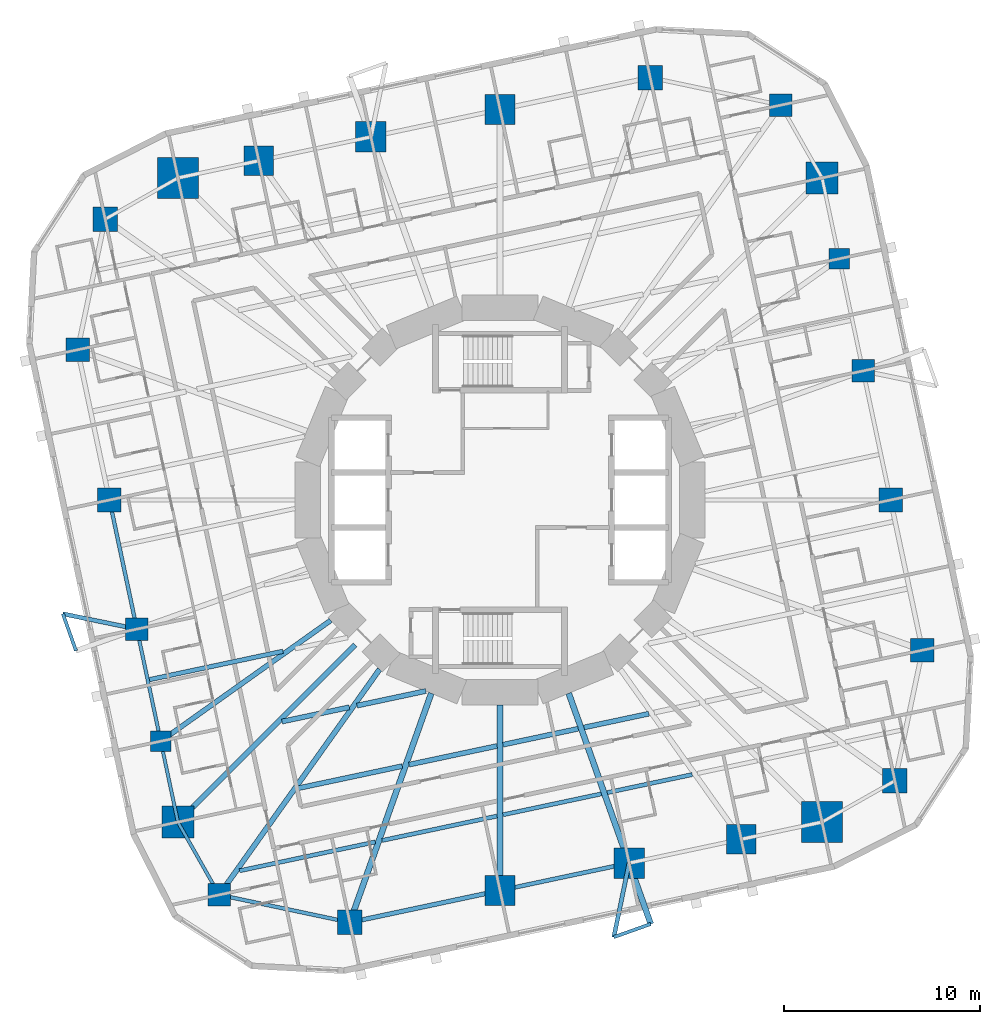
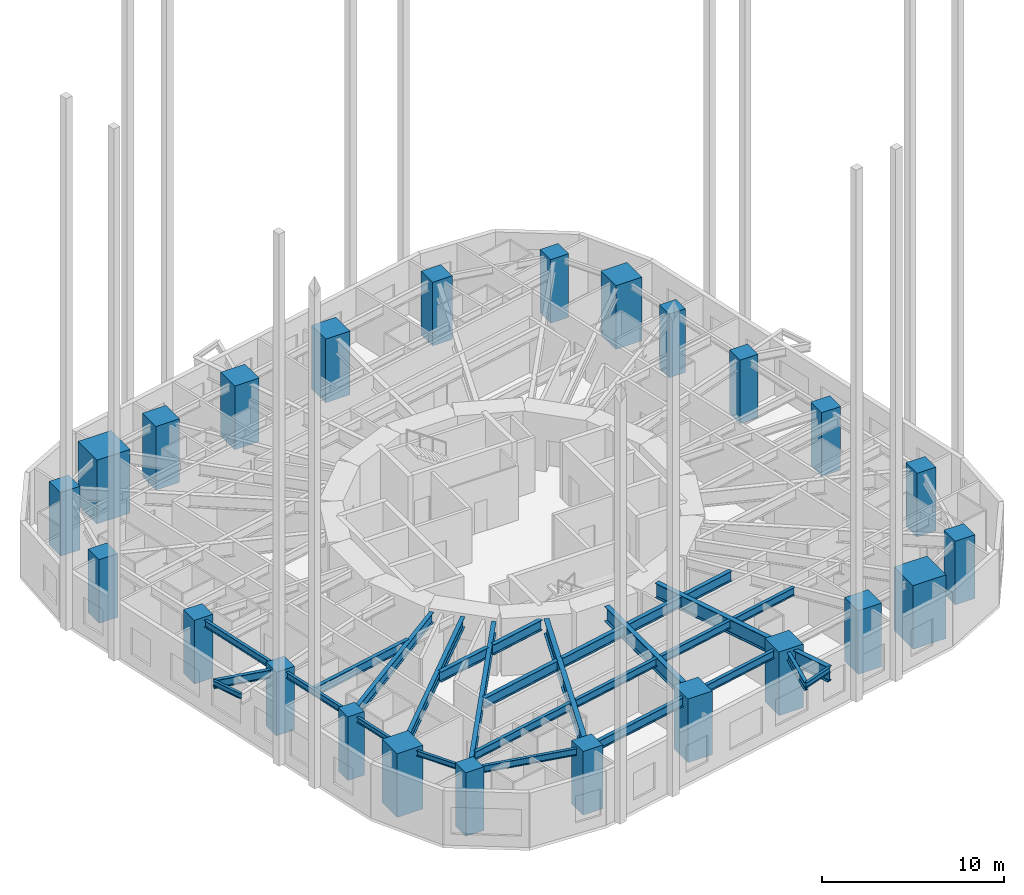
# One storey, part 1 of 12: 28 beams, 24 columns.
"""IFC4 building model written with IfcOpenShell, lengths in metres."""

from ifc_helpers import new_model, si_unit, direction, frame, origin, origin_2d, place, context, subcontext, project, spatial, rectangle, i_section, extrude, material, material_profile, profile_set, type_object, element, save


model = new_model("IFC4")

# Units and contexts
model_context = context("Model", 3, precision=1e-05, world=origin(), true_north=direction((0.0, 1.0)))
body_context = subcontext(model_context, "Body", "Model", "MODEL_VIEW")
ifc_project = project(units=[si_unit("LENGTHUNIT", "METRE"), si_unit("AREAUNIT", "SQUARE_METRE"), si_unit("VOLUMEUNIT", "CUBIC_METRE"), si_unit("PLANEANGLEUNIT", "RADIAN"), si_unit("MASSUNIT", "GRAM", prefix="KILO")], contexts=[model_context])

# Site, building, storey
site_placement = place(None, origin())
site = spatial("IfcSite", under=ifc_project, at=site_placement, CompositionType="ELEMENT")
building_placement = place(site_placement, origin())
building = spatial("IfcBuilding", under=site, at=building_placement, Name="Nakasero Lantern House", CompositionType="ELEMENT")
storey_placement = place(building_placement, frame((0.0, 0.0, 101.14990234375)))
storey = spatial("IfcBuildingStorey", under=building, at=storey_placement, Name="L24", CompositionType="ELEMENT", Elevation=101.14990234375)

# Columns
ifc_material_1 = material(Name="Concrete C50/60", Category="concrete")
ifc_material_profile_1 = material_profile(ifc_material_1, rectangle(XDim=1.64990234375, YDim=1.64990234375, at=origin_2d()), Name="RC 1650x1650")
ifc_profile_set_1 = profile_set([ifc_material_profile_1], Name="Concrete C50/60")
column_type_1 = type_object("IfcColumnType", Name="Mega column RC 1650x1650 C50/60", PredefinedType="COLUMN", material=ifc_profile_set_1)
for number, where, z_axis, x_axis, name in (
    (1, (16.44091796875, 16.44091796875, -0.427734375), (0.0, 0.0, 1.0), (1.0, 0.0, 0.0), "Column B3-C06 L24"),
    (2, (-16.44091796875, -16.44091796875, -0.427734375), (0.0, 0.0, 1.0), (1.0, 0.0, 0.0), "Column B3-C18 L24"),
):
    element("IfcColumn", number, at=place(storey_placement, frame(where, z_axis=z_axis, x_axis=x_axis)), inside=storey, type_object=column_type_1, Name=name, PredefinedType="COLUMN", context=body_context, shape_type="SweptSolid", body=[
        extrude(rectangle(XDim=1.64990234375, YDim=1.64990234375, at=origin_2d()), origin(), (0.0, 0.0, 1.0), 4.27783203125),
    ])
ifc_material_2 = material(Name="Concrete C50/60", Category="concrete")
ifc_material_profile_2 = material_profile(ifc_material_2, rectangle(XDim=2.10009765625, YDim=2.10009765625, at=origin_2d()), Name="RC 2100x2100")
ifc_profile_set_2 = profile_set([ifc_material_profile_2], Name="Concrete C50/60")
column_type_2 = type_object("IfcColumnType", Name="Mega column RC 2100x2100 C50/60", PredefinedType="COLUMN", material=ifc_profile_set_2)
for number, where, z_axis, x_axis, name in (
    (3, (-16.44091796875, 16.44091796875, -0.427734375), (0.0, 0.0, 1.0), (1.0, 0.0, 0.0), "Column B3-C12 L24"),
    (4, (16.44091796875, -16.44091796875, -0.427734375), (0.0, 0.0, 1.0), (1.0, 0.0, 0.0), "Column B3-C24 L24"),
):
    element("IfcColumn", number, at=place(storey_placement, frame(where, z_axis=z_axis, x_axis=x_axis)), inside=storey, type_object=column_type_2, Name=name, PredefinedType="COLUMN", context=body_context, shape_type="SweptSolid", body=[
        extrude(rectangle(XDim=2.10009765625, YDim=2.10009765625, at=origin_2d()), origin(), (0.0, 0.0, 1.0), 4.27783203125),
    ])
ifc_material_3 = material(Name="Concrete C50/60", Category="concrete")
ifc_material_profile_3 = material_profile(ifc_material_3, rectangle(XDim=1.050048828125, YDim=1.050048828125, at=origin_2d()), Name="RC 1050x1050")
ifc_profile_set_3 = profile_set([ifc_material_profile_3], Name="Concrete C50/60")
column_type_3 = type_object("IfcColumnType", Name="Ring column RC 1050x1050 C50/60", PredefinedType="COLUMN", material=ifc_profile_set_3)
for number, where, z_axis, x_axis, name in (
    (5, (17.318115234375, 12.31494140625, -0.427734375), (0.0, 0.0, 1.0), (1.0, 0.0, 0.0), "Column B3-C05 L24"),
    (6, (-17.318115234375, -12.31494140625, -0.427734375), (0.0, 0.0, 1.0), (1.0, 0.0, 0.0), "Column B3-C17 L24"),
):
    element("IfcColumn", number, at=place(storey_placement, frame(where, z_axis=z_axis, x_axis=x_axis)), inside=storey, type_object=column_type_3, Name=name, PredefinedType="COLUMN", context=body_context, shape_type="SweptSolid", body=[
        extrude(rectangle(XDim=1.050048828125, YDim=1.050048828125, at=origin_2d()), origin(), (0.0, 0.0, 1.0), 4.27783203125),
    ])
ifc_material_4 = material(Name="Concrete C50/60", Category="concrete")
ifc_material_profile_4 = material_profile(ifc_material_4, rectangle(XDim=1.14990234375, YDim=1.14990234375, at=origin_2d()), Name="RC 1150x1150")
ifc_profile_set_4 = profile_set([ifc_material_profile_4], Name="Concrete C50/60")
column_type_4 = type_object("IfcColumnType", Name="Ring column RC 1150x1150 C50/60", PredefinedType="COLUMN", material=ifc_profile_set_4)
for number, where, z_axis, x_axis, name in (
    (7, (18.534912109375, 6.590087890625, -0.427734375), (0.0, 0.0, 1.0), (1.0, 0.0, 0.0), "Column B3-C04 L24"),
    (8, (14.33349609375, 20.15625, -0.427734375), (0.0, 0.0, 1.0), (1.0, 0.0, 0.0), "Column B3-C07 L24"),
    (9, (-18.534912109375, -6.590087890625, -0.427734375), (0.0, 0.0, 1.0), (1.0, 0.0, 0.0), "Column B3-C16 L24"),
    (10, (-14.33349609375, -20.15625, -0.427734375), (0.0, 0.0, 1.0), (1.0, 0.0, 0.0), "Column B3-C19 L24"),
):
    element("IfcColumn", number, at=place(storey_placement, frame(where, z_axis=z_axis, x_axis=x_axis)), inside=storey, type_object=column_type_4, Name=name, PredefinedType="COLUMN", context=body_context, shape_type="SweptSolid", body=[
        extrude(rectangle(XDim=1.14990234375, YDim=1.14990234375, at=origin_2d()), origin(), (0.0, 0.0, 1.0), 4.27783203125),
    ])
ifc_material_5 = material(Name="Concrete C50/60", Category="concrete")
ifc_material_profile_5 = material_profile(ifc_material_5, rectangle(XDim=1.199951171875, YDim=1.199951171875, at=origin_2d()), Name="RC 1200x1200")
ifc_profile_set_5 = profile_set([ifc_material_profile_5], Name="Concrete C50/60")
column_type_5 = type_object("IfcColumnType", Name="Ring column RC 1200x1200 C50/60", PredefinedType="COLUMN", material=ifc_profile_set_5)
for number, where, z_axis, x_axis, name in (
    (11, (21.5654296875, -7.667724609375, -0.427734375), (0.0, 0.0, 1.0), (1.0, 0.0, 0.0), "Column B3-C02 L24"),
    (12, (19.935546875, 0.0, -0.427734375), (0.0, 0.0, 1.0), (1.0, 0.0, 0.0), "Column B3-C03 L24"),
    (13, (-21.5654296875, 7.667724609375, -0.427734375), (0.0, 0.0, 1.0), (1.0, 0.0, 0.0), "Column B3-C14 L24"),
    (14, (-19.935546875, 0.0, -0.427734375), (0.0, 0.0, 1.0), (1.0, 0.0, 0.0), "Column B3-C15 L24"),
):
    element("IfcColumn", number, at=place(storey_placement, frame(where, z_axis=z_axis, x_axis=x_axis)), inside=storey, type_object=column_type_5, Name=name, PredefinedType="COLUMN", context=body_context, shape_type="SweptSolid", body=[
        extrude(rectangle(XDim=1.199951171875, YDim=1.199951171875, at=origin_2d()), origin(), (0.0, 0.0, 1.0), 4.27783203125),
    ])
ifc_material_6 = material(Name="Concrete C50/60", Category="concrete")
ifc_material_profile_6 = material_profile(ifc_material_6, rectangle(XDim=1.25, YDim=1.25, at=origin_2d()), Name="RC 1250x1250")
ifc_profile_set_6 = profile_set([ifc_material_profile_6], Name="Concrete C50/60")
column_type_6 = type_object("IfcColumnType", Name="Ring column RC 1250x1250 C50/60", PredefinedType="COLUMN", material=ifc_profile_set_6)
for number, where, z_axis, x_axis, name in (
    (15, (20.15625, -14.33349609375, -0.427734375), (0.0, 0.0, 1.0), (1.0, 0.0, 0.0), "Column B3-C01 L24"),
    (16, (7.667724609375, 21.5654296875, -0.427734375), (0.0, 0.0, 1.0), (1.0, 0.0, 0.0), "Column B3-C08 L24"),
    (17, (-20.15625, 14.33349609375, -0.427734375), (0.0, 0.0, 1.0), (1.0, 0.0, 0.0), "Column B3-C13 L24"),
    (18, (-7.667724609375, -21.5654296875, -0.427734375), (0.0, 0.0, 1.0), (1.0, 0.0, 0.0), "Column B3-C20 L24"),
):
    element("IfcColumn", number, at=place(storey_placement, frame(where, z_axis=z_axis, x_axis=x_axis)), inside=storey, type_object=column_type_6, Name=name, PredefinedType="COLUMN", context=body_context, shape_type="SweptSolid", body=[
        extrude(rectangle(XDim=1.25, YDim=1.25, at=origin_2d()), origin(), (0.0, 0.0, 1.0), 4.27783203125),
    ])
ifc_material_7 = material(Name="Concrete C50/60", Category="concrete")
ifc_material_profile_7 = material_profile(ifc_material_7, rectangle(XDim=1.5, YDim=1.5, at=origin_2d()), Name="RC 1500x1500")
ifc_profile_set_7 = profile_set([ifc_material_profile_7], Name="Concrete C50/60")
column_type_7 = type_object("IfcColumnType", Name="Ring column RC 1500x1500 C50/60", PredefinedType="COLUMN", material=ifc_profile_set_7)
for number, where, z_axis, x_axis, name in (
    (19, (-12.31494140625, 17.318115234375, -0.427734375), (0.0, 0.0, 1.0), (1.0, 0.0, 0.0), "Column B3-C11 L24"),
    (20, (12.31494140625, -17.318115234375, -0.427734375), (0.0, 0.0, 1.0), (1.0, 0.0, 0.0), "Column B3-C23 L24"),
):
    element("IfcColumn", number, at=place(storey_placement, frame(where, z_axis=z_axis, x_axis=x_axis)), inside=storey, type_object=column_type_7, Name=name, PredefinedType="COLUMN", context=body_context, shape_type="SweptSolid", body=[
        extrude(rectangle(XDim=1.5, YDim=1.5, at=origin_2d()), origin(), (0.0, 0.0, 1.0), 4.27783203125),
    ])
ifc_material_8 = material(Name="Concrete C50/60", Category="concrete")
ifc_material_profile_8 = material_profile(ifc_material_8, rectangle(XDim=1.550048828125, YDim=1.550048828125, at=origin_2d()), Name="RC 1550x1550")
ifc_profile_set_8 = profile_set([ifc_material_profile_8], Name="Concrete C50/60")
column_type_8 = type_object("IfcColumnType", Name="Ring column RC 1550x1550 C50/60", PredefinedType="COLUMN", material=ifc_profile_set_8)
for number, where, z_axis, x_axis, name in (
    (21, (0.0, 19.935546875, -0.427734375), (0.0, 0.0, 1.0), (1.0, 0.0, 0.0), "Column B3-C09 L24"),
    (22, (-6.590087890625, 18.534912109375, -0.427734375), (0.0, 0.0, 1.0), (1.0, 0.0, 0.0), "Column B3-C10 L24"),
    (23, (0.0, -19.935546875, -0.427734375), (0.0, 0.0, 1.0), (1.0, 0.0, 0.0), "Column B3-C21 L24"),
    (24, (6.590087890625, -18.534912109375, -0.427734375), (0.0, 0.0, 1.0), (1.0, 0.0, 0.0), "Column B3-C22 L24"),
):
    element("IfcColumn", number, at=place(storey_placement, frame(where, z_axis=z_axis, x_axis=x_axis)), inside=storey, type_object=column_type_8, Name=name, PredefinedType="COLUMN", context=body_context, shape_type="SweptSolid", body=[
        extrude(rectangle(XDim=1.550048828125, YDim=1.550048828125, at=origin_2d()), origin(), (0.0, 0.0, 1.0), 4.27783203125),
    ])

# Beams
ifc_material_9 = material(Name="Steel S355", Category="steel")
ifc_material_profile_9 = material_profile(ifc_material_9, i_section(OverallWidth=0.2138671875, OverallDepth=0.549072265625, WebThickness=0.0146484375, FlangeThickness=0.023681640625, FilletRadius=0.0126953125, at=origin_2d()), Name="UB 533x210x138")
ifc_profile_set_9 = profile_set([ifc_material_profile_9], Name="Steel S355")
beam_type_1 = type_object("IfcBeamType", Name="Balcony splay beam UB 533x210x138", PredefinedType="BEAM", material=ifc_profile_set_9)
for number, where, z_axis, x_axis, name in (
    (25, (-18.534912109375, -6.590087890625, 3.37548828125), (-0.979420272605, 0.201831438605, 0.0), (-0.201831438605, -0.979420272605, 0.0), "Balcony splay beam L25 B3-C16A"),
    (26, (6.590087890625, -18.534912109375, 3.37548828125), (-0.201831438605, -0.979420272605, 0.0), (0.979420272605, -0.201831438605, 0.0), "Balcony splay beam L25 B3-C22A"),
):
    element("IfcBeam", number, at=place(storey_placement, frame(where, z_axis=z_axis, x_axis=x_axis)), inside=storey, type_object=beam_type_1, Name=name, PredefinedType="BEAM", context=body_context, shape_type="SweptSolid", body=[
        extrude(i_section(OverallWidth=0.2138671875, OverallDepth=0.549072265625, WebThickness=0.0146484375, FlangeThickness=0.023681640625, FilletRadius=0.0126953125, at=origin_2d()), origin(), (0.0, 0.0, 1.0), 3.858642578125),
    ])
ifc_material_10 = material(Name="Steel S355", Category="steel")
ifc_material_profile_10 = material_profile(ifc_material_10, i_section(OverallWidth=0.17138671875, OverallDepth=0.35498046875, WebThickness=0.00732421875, FlangeThickness=0.011474609375, FilletRadius=0.01025390625, at=origin_2d()), Name="UB 356x171x51")
ifc_profile_set_10 = profile_set([ifc_material_profile_10], Name="Steel S355")
beam_type_2 = type_object("IfcBeamType", Name="Balcony tie beam UB 356x171x51", PredefinedType="BEAM", material=ifc_profile_set_10)
for number, where, z_axis, x_axis, name in (
    (27, (-22.314208984375, -5.811279296875, 3.47265625), (0.335060236487, -0.942196708721, 0.0), (0.942196708721, 0.335060236487, 0.0), "Balcony tie beam L25 B3-C16"),
    (28, (5.811279296875, -22.314208984375, 3.47265625), (0.942196708721, 0.335060236487, 0.0), (-0.335060236487, 0.942196708721, 0.0), "Balcony tie beam L25 B3-C22"),
):
    element("IfcBeam", number, at=place(storey_placement, frame(where, z_axis=z_axis, x_axis=x_axis)), inside=storey, type_object=beam_type_2, Name=name, PredefinedType="BEAM", context=body_context, shape_type="SweptSolid", body=[
        extrude(i_section(OverallWidth=0.17138671875, OverallDepth=0.35498046875, WebThickness=0.00732421875, FlangeThickness=0.011474609375, FilletRadius=0.01025390625, at=origin_2d()), origin(), (0.0, 0.0, 1.0), 2.000244140625),
    ])
ifc_material_11 = material(Name="Steel S355", Category="steel")
ifc_material_profile_11 = material_profile(ifc_material_11, i_section(OverallWidth=0.2099609375, OverallDepth=0.53662109375, WebThickness=0.0107421875, FlangeThickness=0.017333984375, FilletRadius=0.0126953125, at=origin_2d()), Name="UB 533x210x101")
ifc_profile_set_11 = profile_set([ifc_material_profile_11], Name="Steel S355")
beam_type_3 = type_object("IfcBeamType", Name="Infill beam UB 533x210x101", PredefinedType="JOIST", material=ifc_profile_set_11)
beam_1_placement = place(storey_placement, frame((-13.29638671875, -18.927978515625, 3.3818359375), z_axis=(0.978149480204, 0.207902848411, 0.0), x_axis=(-0.207902848411, 0.978149480204, 0.0)))
element("IfcBeam", 29, at=beam_1_placement, inside=storey, type_object=beam_type_3, Name="Infill beam L25 03.1", PredefinedType="JOIST", context=body_context, shape_type="SweptSolid", body=[
    extrude(i_section(OverallWidth=0.2099609375, OverallDepth=0.53662109375, WebThickness=0.0107421875, FlangeThickness=0.017333984375, FilletRadius=0.0126953125, at=origin_2d()), origin(), (0.0, 0.0, 1.0), 7.085693359375),
])
beam_2_placement = place(storey_placement, frame((-6.02099609375, -17.381591796875, 3.3818359375), z_axis=(0.97814819896, 0.207908876365, 0.0), x_axis=(-0.207908876365, 0.97814819896, 0.0)))
element("IfcBeam", 30, at=beam_2_placement, inside=storey, type_object=beam_type_3, Name="Infill beam L25 03.2", PredefinedType="JOIST", context=body_context, shape_type="SweptSolid", body=[
    extrude(i_section(OverallWidth=0.2099609375, OverallDepth=0.53662109375, WebThickness=0.0107421875, FlangeThickness=0.017333984375, FilletRadius=0.0126953125, at=origin_2d()), origin(), (0.0, 0.0, 1.0), 6.00048828125),
])
beam_3_placement = place(storey_placement, frame((0.151611328125, -16.069580078125, 3.3818359375), z_axis=(0.978150996649, 0.20789571365, 0.0), x_axis=(-0.20789571365, 0.978150996649, 0.0)))
element("IfcBeam", 31, at=beam_3_placement, inside=storey, type_object=beam_type_3, Name="Infill beam L25 03.3", PredefinedType="JOIST", context=body_context, shape_type="SweptSolid", body=[
    extrude(i_section(OverallWidth=0.2099609375, OverallDepth=0.53662109375, WebThickness=0.0107421875, FlangeThickness=0.017333984375, FilletRadius=0.0126953125, at=origin_2d()), origin(), (0.0, 0.0, 1.0), 5.135498046875),
])
beam_4_placement = place(storey_placement, frame((5.470947265625, -14.93896484375, 3.3818359375), z_axis=(0.978147380557, 0.207912726665, 0.0), x_axis=(-0.207912726665, 0.978147380557, 0.0)))
element("IfcBeam", 32, at=beam_4_placement, inside=storey, type_object=beam_type_3, Name="Infill beam L25 03.4", PredefinedType="JOIST", context=body_context, shape_type="SweptSolid", body=[
    extrude(i_section(OverallWidth=0.2099609375, OverallDepth=0.53662109375, WebThickness=0.0107421875, FlangeThickness=0.017333984375, FilletRadius=0.0126953125, at=origin_2d()), origin(), (0.0, 0.0, 1.0), 4.436279296875),
])
ifc_material_12 = material(Name="Steel S355", Category="steel")
ifc_material_profile_12 = material_profile(ifc_material_12, i_section(OverallWidth=0.2275390625, OverallDepth=0.6025390625, WebThickness=0.010498046875, FlangeThickness=0.014892578125, FilletRadius=0.0126953125, at=origin_2d()), Name="UB 610x229x101")
ifc_profile_set_12 = profile_set([ifc_material_profile_12], Name="Steel S355")
beam_type_4 = type_object("IfcBeamType", Name="Infill beam UB 610x229x101", PredefinedType="JOIST", material=ifc_profile_set_12)
beam_5_placement = place(storey_placement, frame((-17.895263671875, -9.171142578125, 3.348876953125), z_axis=(0.978143535939, 0.207930813255, 0.0), x_axis=(-0.207930813255, 0.978143535939, 0.0)))
element("IfcBeam", 33, at=beam_5_placement, inside=storey, type_object=beam_type_4, Name="Infill beam L25 06.1", PredefinedType="JOIST", context=body_context, shape_type="SweptSolid", body=[
    extrude(i_section(OverallWidth=0.2275390625, OverallDepth=0.6025390625, WebThickness=0.010498046875, FlangeThickness=0.014892578125, FilletRadius=0.0126953125, at=origin_2d()), origin(), (0.0, 0.0, 1.0), 6.9697265625),
])
ifc_material_13 = material(Name="Steel S355", Category="steel")
ifc_material_profile_13 = material_profile(ifc_material_13, i_section(OverallWidth=0.253662109375, OverallDepth=0.68359375, WebThickness=0.012451171875, FlangeThickness=0.01904296875, FilletRadius=0.01513671875, at=origin_2d()), Name="UB 686x254x140")
ifc_profile_set_13 = profile_set([ifc_material_profile_13], Name="Steel S355")
beam_type_5 = type_object("IfcBeamType", Name="Infill beam UB 686x254x140", PredefinedType="JOIST", material=ifc_profile_set_13)
beam_6_placement = place(storey_placement, frame((-10.298828125, -14.712646484375, 3.308349609375), z_axis=(0.978155764637, 0.207873278962, 0.0), x_axis=(-0.207873278962, 0.978155764637, 0.0)))
element("IfcBeam", 34, at=beam_6_placement, inside=storey, type_object=beam_type_5, Name="Infill beam L25 04.1", PredefinedType="JOIST", context=body_context, shape_type="SweptSolid", body=[
    extrude(i_section(OverallWidth=0.253662109375, OverallDepth=0.68359375, WebThickness=0.012451171875, FlangeThickness=0.01904296875, FilletRadius=0.01513671875, at=origin_2d()), origin(), (0.0, 0.0, 1.0), 5.428466796875),
])
beam_7_placement = place(storey_placement, frame((-4.644775390625, -13.510986328125, 3.308349609375), z_axis=(0.978146422144, 0.20791723557, 0.0), x_axis=(-0.20791723557, 0.978146422144, 0.0)))
element("IfcBeam", 35, at=beam_7_placement, inside=storey, type_object=beam_type_5, Name="Infill beam L25 04.2", PredefinedType="JOIST", context=body_context, shape_type="SweptSolid", body=[
    extrude(i_section(OverallWidth=0.253662109375, OverallDepth=0.68359375, WebThickness=0.012451171875, FlangeThickness=0.01904296875, FilletRadius=0.01513671875, at=origin_2d()), origin(), (0.0, 0.0, 1.0), 4.593505859375),
])
beam_8_placement = place(storey_placement, frame((0.151611328125, -12.491455078125, 3.308349609375), z_axis=(0.978141463351, 0.207940562838, 0.0), x_axis=(-0.207940562838, 0.978141463351, 0.0)))
element("IfcBeam", 36, at=beam_8_placement, inside=storey, type_object=beam_type_5, Name="Infill beam L25 04.3", PredefinedType="JOIST", context=body_context, shape_type="SweptSolid", body=[
    extrude(i_section(OverallWidth=0.253662109375, OverallDepth=0.68359375, WebThickness=0.012451171875, FlangeThickness=0.01904296875, FilletRadius=0.01513671875, at=origin_2d()), origin(), (0.0, 0.0, 1.0), 3.92626953125),
])
beam_9_placement = place(storey_placement, frame((4.2880859375, -11.6123046875, 3.308349609375), z_axis=(0.978140889042, 0.207943264337, 0.0), x_axis=(-0.207943264337, 0.978140889042, 0.0)))
element("IfcBeam", 37, at=beam_9_placement, inside=storey, type_object=beam_type_5, Name="Infill beam L25 04.4", PredefinedType="JOIST", context=body_context, shape_type="SweptSolid", body=[
    extrude(i_section(OverallWidth=0.253662109375, OverallDepth=0.68359375, WebThickness=0.012451171875, FlangeThickness=0.01904296875, FilletRadius=0.01513671875, at=origin_2d()), origin(), (0.0, 0.0, 1.0), 3.385986328125),
])
ifc_material_14 = material(Name="Steel S355", Category="steel")
ifc_material_profile_14 = material_profile(ifc_material_14, i_section(OverallWidth=0.255859375, OverallDepth=0.69287109375, WebThickness=0.014404296875, FlangeThickness=0.023681640625, FilletRadius=0.01513671875, at=origin_2d()), Name="UB 686x254x170")
ifc_profile_set_14 = profile_set([ifc_material_profile_14], Name="Steel S355")
beam_type_6 = type_object("IfcBeamType", Name="Infill beam UB 686x254x170", PredefinedType="JOIST", material=ifc_profile_set_14)
beam_10_placement = place(storey_placement, frame((-11.13037109375, -11.311279296875, 3.3037109375), z_axis=(0.978149156314, 0.207904372253, 0.0), x_axis=(-0.207904372253, 0.978149156314, 0.0)))
element("IfcBeam", 38, at=beam_10_placement, inside=storey, type_object=beam_type_6, Name="Infill beam L25 05.1", PredefinedType="JOIST", context=body_context, shape_type="SweptSolid", body=[
    extrude(i_section(OverallWidth=0.255859375, OverallDepth=0.69287109375, WebThickness=0.014404296875, FlangeThickness=0.023681640625, FilletRadius=0.01513671875, at=origin_2d()), origin(), (0.0, 0.0, 1.0), 3.5205078125),
])
beam_11_placement = place(storey_placement, frame((-7.30126953125, -10.497314453125, 3.3037109375), z_axis=(0.978149176892, 0.207904275439, 0.0), x_axis=(-0.207904275439, 0.978149176892, 0.0)))
element("IfcBeam", 39, at=beam_11_placement, inside=storey, type_object=beam_type_6, Name="Infill beam L25 05.2", PredefinedType="JOIST", context=body_context, shape_type="SweptSolid", body=[
    extrude(i_section(OverallWidth=0.255859375, OverallDepth=0.69287109375, WebThickness=0.014404296875, FlangeThickness=0.023681640625, FilletRadius=0.01513671875, at=origin_2d()), origin(), (0.0, 0.0, 1.0), 3.59228515625),
])
ifc_material_15 = material(Name="Steel S355", Category="steel")
ifc_material_profile_15 = material_profile(ifc_material_15, i_section(OverallWidth=0.300048828125, OverallDepth=0.989990234375, WebThickness=0.0166015625, FlangeThickness=0.031005859375, FilletRadius=0.030029296875, at=origin_2d()), Name="UB 1016x305x272")
ifc_profile_set_15 = profile_set([ifc_material_profile_15], Name="Steel S355")
beam_type_7 = type_object("IfcBeamType", Name="Primary beam UB 1016x305x272, span 12 to 15 m", PredefinedType="BEAM", material=ifc_profile_set_15)
beam_12_placement = place(storey_placement, frame((-7.667724609375, -21.5654296875, 3.155029296875), z_axis=(0.335011995103, 0.942213862739, 0.0), x_axis=(-0.942213862739, 0.335011995103, 0.0)))
element("IfcBeam", 40, at=beam_12_placement, inside=storey, type_object=beam_type_7, Name="Primary beam L25 B3-C20", PredefinedType="BEAM", context=body_context, shape_type="SweptSolid", body=[
    extrude(i_section(OverallWidth=0.300048828125, OverallDepth=0.989990234375, WebThickness=0.0166015625, FlangeThickness=0.031005859375, FilletRadius=0.030029296875, at=origin_2d()), origin(), (0.0, 0.0, 1.0), 12.41650390625),
])
ifc_material_16 = material(Name="Steel S355", Category="steel")
ifc_material_profile_16 = material_profile(ifc_material_16, i_section(OverallWidth=0.300048828125, OverallDepth=1.0, WebThickness=0.01904296875, FlangeThickness=0.035888671875, FilletRadius=0.030029296875, at=origin_2d()), Name="UB 1016x305x314")
ifc_profile_set_16 = profile_set([ifc_material_profile_16], Name="Steel S355")
beam_type_8 = type_object("IfcBeamType", Name="Primary beam UB 1016x305x314, span 9 to 12 m", PredefinedType="BEAM", material=ifc_profile_set_16)
beam_13_placement = place(storey_placement, frame((7.69580078125, -21.64404296875, 3.150146484375), z_axis=(-0.335020841845, 0.942210717159, 0.0), x_axis=(-0.942210717159, -0.335020841845, 0.0)))
element("IfcBeam", 41, at=beam_13_placement, inside=storey, type_object=beam_type_8, Name="Primary beam L25 B3-C22", PredefinedType="BEAM", context=body_context, shape_type="SweptSolid", body=[
    extrude(i_section(OverallWidth=0.300048828125, OverallDepth=1.0, WebThickness=0.01904296875, FlangeThickness=0.035888671875, FilletRadius=0.030029296875, at=origin_2d()), origin(), (0.0, 0.0, 1.0), 12.5),
])
ifc_material_17 = material(Name="Steel S355", Category="steel")
ifc_material_profile_17 = material_profile(ifc_material_17, i_section(OverallWidth=0.302978515625, OverallDepth=1.015869140625, WebThickness=0.0244140625, FlangeThickness=0.0439453125, FilletRadius=0.030029296875, at=origin_2d()), Name="UB 1016x305x393")
ifc_profile_set_17 = profile_set([ifc_material_profile_17], Name="Steel S355")
beam_type_9 = type_object("IfcBeamType", Name="Primary beam UB 1016x305x393, span 9 to 12 m", PredefinedType="BEAM", material=ifc_profile_set_17)
beam_14_placement = place(storey_placement, frame((0.0, -19.935546875, 3.14208984375), z_axis=(0.0, 1.0, 0.0), x_axis=(-1.0, 0.0, 0.0)))
element("IfcBeam", 42, at=beam_14_placement, inside=storey, type_object=beam_type_9, Name="Primary beam L25 B3-C21", PredefinedType="BEAM", context=body_context, shape_type="SweptSolid", body=[
    extrude(i_section(OverallWidth=0.302978515625, OverallDepth=1.015869140625, WebThickness=0.0244140625, FlangeThickness=0.0439453125, FilletRadius=0.030029296875, at=origin_2d()), origin(), (0.0, 0.0, 1.0), 9.477783203125),
])
ifc_material_18 = material(Name="Steel S355", Category="steel")
ifc_material_profile_18 = material_profile(ifc_material_18, i_section(OverallWidth=0.253662109375, OverallDepth=0.68359375, WebThickness=0.012451171875, FlangeThickness=0.01904296875, FilletRadius=0.01513671875, at=origin_2d()), Name="UB 686x254x140")
ifc_profile_set_18 = profile_set([ifc_material_profile_18], Name="Steel S355")
beam_type_10 = type_object("IfcBeamType", Name="Primary beam UB 686x254x140, span 9 to 12 m", PredefinedType="BEAM", material=ifc_profile_set_18)
beam_15_placement = place(storey_placement, frame((-17.318115234375, -12.31494140625, 3.308349609375), z_axis=(0.814957491022, 0.579520739774, 0.0), x_axis=(-0.579520739774, 0.814957491022, 0.0)))
element("IfcBeam", 43, at=beam_15_placement, inside=storey, type_object=beam_type_10, Name="Primary beam L25 B3-C17", PredefinedType="BEAM", context=body_context, shape_type="SweptSolid", body=[
    extrude(i_section(OverallWidth=0.253662109375, OverallDepth=0.68359375, WebThickness=0.012451171875, FlangeThickness=0.01904296875, FilletRadius=0.01513671875, at=origin_2d()), origin(), (0.0, 0.0, 1.0), 10.64453125),
])
ifc_material_19 = material(Name="Steel S355", Category="steel")
ifc_material_profile_19 = material_profile(ifc_material_19, i_section(OverallWidth=0.255859375, OverallDepth=0.69287109375, WebThickness=0.014404296875, FlangeThickness=0.023681640625, FilletRadius=0.01513671875, at=origin_2d()), Name="UB 686x254x170")
ifc_profile_set_19 = profile_set([ifc_material_profile_19], Name="Steel S355")
beam_type_11 = type_object("IfcBeamType", Name="Primary beam UB 686x254x170, span 12 to 15 m", PredefinedType="BEAM", material=ifc_profile_set_19)
beam_16_placement = place(storey_placement, frame((-16.44091796875, -16.44091796875, 3.3037109375), z_axis=(0.707106781187, 0.707106781187, 0.0), x_axis=(-0.707106781187, 0.707106781187, 0.0)))
element("IfcBeam", 44, at=beam_16_placement, inside=storey, type_object=beam_type_11, Name="Primary beam L25 B3-C18", PredefinedType="BEAM", context=body_context, shape_type="SweptSolid", body=[
    extrude(i_section(OverallWidth=0.255859375, OverallDepth=0.69287109375, WebThickness=0.014404296875, FlangeThickness=0.023681640625, FilletRadius=0.01513671875, at=origin_2d()), origin(), (0.0, 0.0, 1.0), 12.793212890625),
])
ifc_material_20 = material(Name="Steel S355", Category="steel")
ifc_material_profile_20 = material_profile(ifc_material_20, i_section(OverallWidth=0.2666015625, OverallDepth=0.76220703125, WebThickness=0.014404296875, FlangeThickness=0.021484375, FilletRadius=0.0166015625, at=origin_2d()), Name="UB 762x267x173")
ifc_profile_set_20 = profile_set([ifc_material_profile_20], Name="Steel S355")
beam_type_12 = type_object("IfcBeamType", Name="Primary beam UB 762x267x173, span 12 to 15 m", PredefinedType="BEAM", material=ifc_profile_set_20)
beam_17_placement = place(storey_placement, frame((-14.33349609375, -20.15625, 3.26904296875), z_axis=(0.57953679421, 0.814946074386, 0.0), x_axis=(-0.814946074386, 0.57953679421, 0.0)))
element("IfcBeam", 45, at=beam_17_placement, inside=storey, type_object=beam_type_12, Name="Primary beam L25 B3-C19", PredefinedType="BEAM", context=body_context, shape_type="SweptSolid", body=[
    extrude(i_section(OverallWidth=0.2666015625, OverallDepth=0.76220703125, WebThickness=0.014404296875, FlangeThickness=0.021484375, FilletRadius=0.0166015625, at=origin_2d()), origin(), (0.0, 0.0, 1.0), 14.127197265625),
])
ifc_material_21 = material(Name="Steel S355", Category="steel")
ifc_material_profile_21 = material_profile(ifc_material_21, i_section(OverallWidth=0.17138671875, OverallDepth=0.35498046875, WebThickness=0.00732421875, FlangeThickness=0.011474609375, FilletRadius=0.01025390625, at=origin_2d()), Name="UB 356x171x51")
ifc_profile_set_21 = profile_set([ifc_material_profile_21], Name="Steel S355")
beam_type_13 = type_object("IfcBeamType", Name="Ring beam UB 356x171x51", PredefinedType="BEAM", material=ifc_profile_set_21)
beam_18_placement = place(storey_placement, frame((-17.318115234375, -12.31494140625, 3.47265625), z_axis=(0.207955665195, -0.978138252658, 0.0), x_axis=(0.978138252658, 0.207955665195, 0.0)))
element("IfcBeam", 46, at=beam_18_placement, inside=storey, type_object=beam_type_13, Name="Ring beam L25 B3-C17", PredefinedType="BEAM", context=body_context, shape_type="SweptSolid", body=[
    extrude(i_section(OverallWidth=0.17138671875, OverallDepth=0.35498046875, WebThickness=0.00732421875, FlangeThickness=0.011474609375, FilletRadius=0.01025390625, at=origin_2d()), origin(), (0.0, 0.0, 1.0), 4.21826171875),
])
beam_19_placement = place(storey_placement, frame((-16.44091796875, -16.44091796875, 3.47265625), z_axis=(0.493378832737, -0.869814536213, 0.0), x_axis=(0.869814536213, 0.493378832737, 0.0)))
element("IfcBeam", 47, at=beam_19_placement, inside=storey, type_object=beam_type_13, Name="Ring beam L25 B3-C18", PredefinedType="BEAM", context=body_context, shape_type="SweptSolid", body=[
    extrude(i_section(OverallWidth=0.17138671875, OverallDepth=0.35498046875, WebThickness=0.00732421875, FlangeThickness=0.011474609375, FilletRadius=0.01025390625, at=origin_2d()), origin(), (0.0, 0.0, 1.0), 4.271484375),
])
ifc_material_22 = material(Name="Steel S355", Category="steel")
ifc_material_profile_22 = material_profile(ifc_material_22, i_section(OverallWidth=0.177978515625, OverallDepth=0.406494140625, WebThickness=0.0078125, FlangeThickness=0.0126953125, FilletRadius=0.01025390625, at=origin_2d()), Name="UB 406x178x60")
ifc_profile_set_22 = profile_set([ifc_material_profile_22], Name="Steel S355")
beam_type_14 = type_object("IfcBeamType", Name="Ring beam UB 406x178x60", PredefinedType="BEAM", material=ifc_profile_set_22)
beam_20_placement = place(storey_placement, frame((-18.534912109375, -6.590087890625, 3.44677734375), z_axis=(0.207902159541, -0.978149626621, 0.0), x_axis=(0.978149626621, 0.207902159541, 0.0)))
element("IfcBeam", 48, at=beam_20_placement, inside=storey, type_object=beam_type_14, Name="Ring beam L25 B3-C16", PredefinedType="BEAM", context=body_context, shape_type="SweptSolid", body=[
    extrude(i_section(OverallWidth=0.177978515625, OverallDepth=0.406494140625, WebThickness=0.0078125, FlangeThickness=0.0126953125, FilletRadius=0.01025390625, at=origin_2d()), origin(), (0.0, 0.0, 1.0), 5.852783203125),
])
ifc_material_23 = material(Name="Steel S355", Category="steel")
ifc_material_profile_23 = material_profile(ifc_material_23, i_section(OverallWidth=0.19140625, OverallDepth=0.4599609375, WebThickness=0.010009765625, FlangeThickness=0.01611328125, FilletRadius=0.01025390625, at=origin_2d()), Name="UB 457x191x82")
ifc_profile_set_23 = profile_set([ifc_material_profile_23], Name="Steel S355")
beam_type_15 = type_object("IfcBeamType", Name="Ring beam UB 457x191x82", PredefinedType="BEAM", material=ifc_profile_set_23)
beam_21_placement = place(storey_placement, frame((-19.935546875, 0.0, 3.420166015625), z_axis=(0.20789299389, -0.978151574702, 0.0), x_axis=(0.978151574702, 0.20789299389, 0.0)))
element("IfcBeam", 49, at=beam_21_placement, inside=storey, type_object=beam_type_15, Name="Ring beam L25 B3-C15", PredefinedType="BEAM", context=body_context, shape_type="SweptSolid", body=[
    extrude(i_section(OverallWidth=0.19140625, OverallDepth=0.4599609375, WebThickness=0.010009765625, FlangeThickness=0.01611328125, FilletRadius=0.01025390625, at=origin_2d()), origin(), (0.0, 0.0, 1.0), 6.7373046875),
])
beam_22_placement = place(storey_placement, frame((-14.33349609375, -20.15625, 3.420166015625), z_axis=(0.978376066473, -0.206833925052, 0.0), x_axis=(0.206833925052, 0.978376066473, 0.0)))
element("IfcBeam", 50, at=beam_22_placement, inside=storey, type_object=beam_type_15, Name="Ring beam L25 B3-C19", PredefinedType="BEAM", context=body_context, shape_type="SweptSolid", body=[
    extrude(i_section(OverallWidth=0.19140625, OverallDepth=0.4599609375, WebThickness=0.010009765625, FlangeThickness=0.01611328125, FilletRadius=0.01025390625, at=origin_2d()), origin(), (0.0, 0.0, 1.0), 6.81298828125),
])
ifc_material_24 = material(Name="Steel S355", Category="steel")
ifc_material_profile_24 = material_profile(ifc_material_24, i_section(OverallWidth=0.2099609375, OverallDepth=0.53662109375, WebThickness=0.0107421875, FlangeThickness=0.017333984375, FilletRadius=0.0126953125, at=origin_2d()), Name="UB 533x210x101")
ifc_profile_set_24 = profile_set([ifc_material_profile_24], Name="Steel S355")
beam_type_16 = type_object("IfcBeamType", Name="Ring beam UB 533x210x101", PredefinedType="BEAM", material=ifc_profile_set_24)
beam_23_placement = place(storey_placement, frame((0.0, -19.935546875, 3.3818359375), z_axis=(0.978151574702, 0.20789299389, 0.0), x_axis=(-0.20789299389, 0.978151574702, 0.0)))
element("IfcBeam", 51, at=beam_23_placement, inside=storey, type_object=beam_type_16, Name="Ring beam L25 B3-C21", PredefinedType="BEAM", context=body_context, shape_type="SweptSolid", body=[
    extrude(i_section(OverallWidth=0.2099609375, OverallDepth=0.53662109375, WebThickness=0.0107421875, FlangeThickness=0.017333984375, FilletRadius=0.0126953125, at=origin_2d()), origin(), (0.0, 0.0, 1.0), 6.7373046875),
])
ifc_material_25 = material(Name="Steel S355", Category="steel")
ifc_material_profile_25 = material_profile(ifc_material_25, i_section(OverallWidth=0.22900390625, OverallDepth=0.6123046875, WebThickness=0.011962890625, FlangeThickness=0.01953125, FilletRadius=0.0126953125, at=origin_2d()), Name="UB 610x229x125")
ifc_profile_set_25 = profile_set([ifc_material_profile_25], Name="Steel S355")
beam_type_17 = type_object("IfcBeamType", Name="Ring beam UB 610x229x125", PredefinedType="BEAM", material=ifc_profile_set_25)
beam_24_placement = place(storey_placement, frame((-7.667724609375, -21.5654296875, 3.343994140625), z_axis=(0.978146105516, 0.207918725139, 0.0), x_axis=(-0.207918725139, 0.978146105516, 0.0)))
element("IfcBeam", 52, at=beam_24_placement, inside=storey, type_object=beam_type_17, Name="Ring beam L25 B3-C20", PredefinedType="BEAM", context=body_context, shape_type="SweptSolid", body=[
    extrude(i_section(OverallWidth=0.22900390625, OverallDepth=0.6123046875, WebThickness=0.011962890625, FlangeThickness=0.01953125, FilletRadius=0.0126953125, at=origin_2d()), origin(), (0.0, 0.0, 1.0), 7.839111328125),
])

save(model, "model.ifc")
